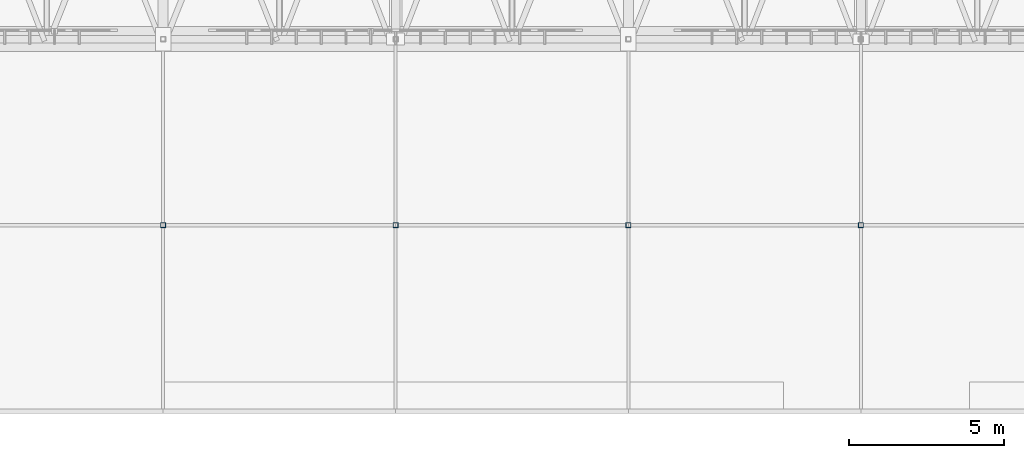
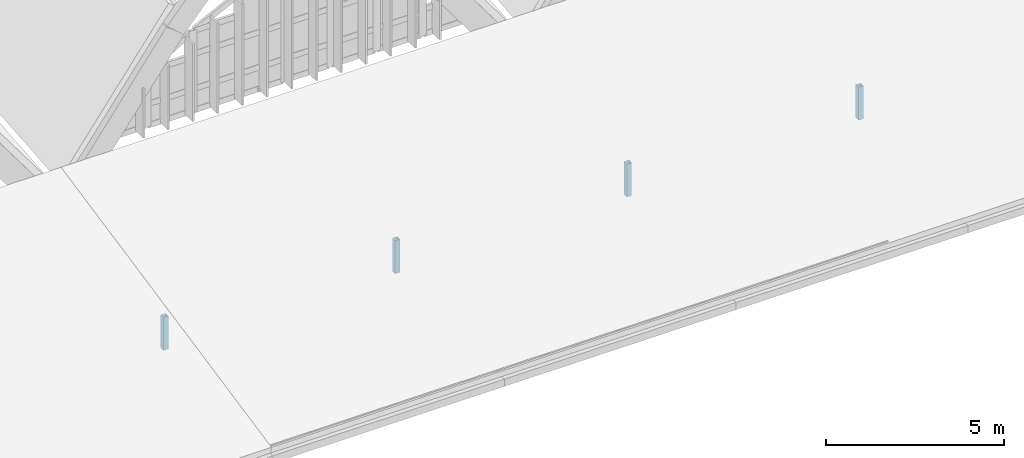
# One storey, part 3 of 93: 4 columns.
"""IFC4 building model written with IfcOpenShell, lengths in metres."""

from ifc_helpers import new_model, si_unit, direction, frame, origin, origin_2d, place, context, subcontext, project, spatial, hollow_rectangle, extrude, material, material_profile, profile_set, type_object, element, save


model = new_model("IFC4")

# Units and contexts
model_context = context("Model", 3, precision=1e-05, world=origin(), true_north=direction((0.0, 1.0)))
body_context = subcontext(model_context, "Body", "Model", "MODEL_VIEW")
ifc_project = project(units=[si_unit("LENGTHUNIT", "METRE"), si_unit("AREAUNIT", "SQUARE_METRE"), si_unit("VOLUMEUNIT", "CUBIC_METRE"), si_unit("PLANEANGLEUNIT", "RADIAN"), si_unit("MASSUNIT", "GRAM", prefix="KILO")], contexts=[model_context])

# Site, building, storey
site_placement = place(None, origin())
site = spatial("IfcSite", under=ifc_project, at=site_placement, CompositionType="ELEMENT")
building_placement = place(site_placement, origin())
building = spatial("IfcBuilding", under=site, at=building_placement, Name="Vourika Railside Aquatics Centre", CompositionType="ELEMENT")
storey_placement = place(building_placement, frame((0.0, 0.0, 21.89990234375)))
storey = spatial("IfcBuildingStorey", under=building, at=storey_placement, Name="Roof", CompositionType="ELEMENT", Elevation=21.89990234375)

# Columns
ifc_material = material(Name="Steel S355J2", Category="steel")
ifc_material_profile = material_profile(ifc_material, hollow_rectangle(XDim=0.159912109375, YDim=0.159912109375, WallThickness=0.008056640625, at=origin_2d()), Name="SHS 160x160x8")
ifc_profile_set = profile_set([ifc_material_profile], Name="Steel S355J2")
column_type = type_object("IfcColumnType", Name="COL-STL-SHS160", PredefinedType="COLUMN", material=ifc_profile_set)
for number, where, z_axis, x_axis, name in (
    (1, (66.0, 6.0, -12.599853515625), (0.0, 0.0, 1.0), (1.0, 0.0, 0.0), "Changing Roof Mid-Span Post (66.0,6.0)"),
    (2, (73.5, 6.0, -12.599853515625), (0.0, 0.0, 1.0), (1.0, 0.0, 0.0), "Changing Roof Mid-Span Post (73.5,6.0)"),
    (3, (81.0, 6.0, -12.599853515625), (0.0, 0.0, 1.0), (1.0, 0.0, 0.0), "Changing Roof Mid-Span Post (81.0,6.0)"),
    (4, (88.5, 6.0, -12.599853515625), (0.0, 0.0, 1.0), (1.0, 0.0, 0.0), "Changing Roof Mid-Span Post (88.5,6.0)"),
):
    element("IfcColumn", number, at=place(storey_placement, frame(where, z_axis=z_axis, x_axis=x_axis)), inside=storey, type_object=column_type, Name=name, PredefinedType="COLUMN", context=body_context, shape_type="SweptSolid", body=[
        extrude(hollow_rectangle(XDim=0.159912109375, YDim=0.159912109375, WallThickness=0.008056640625, at=origin_2d()), origin(), (0.0, 0.0, 1.0), 1.125),
    ])

save(model, "model.ifc")
